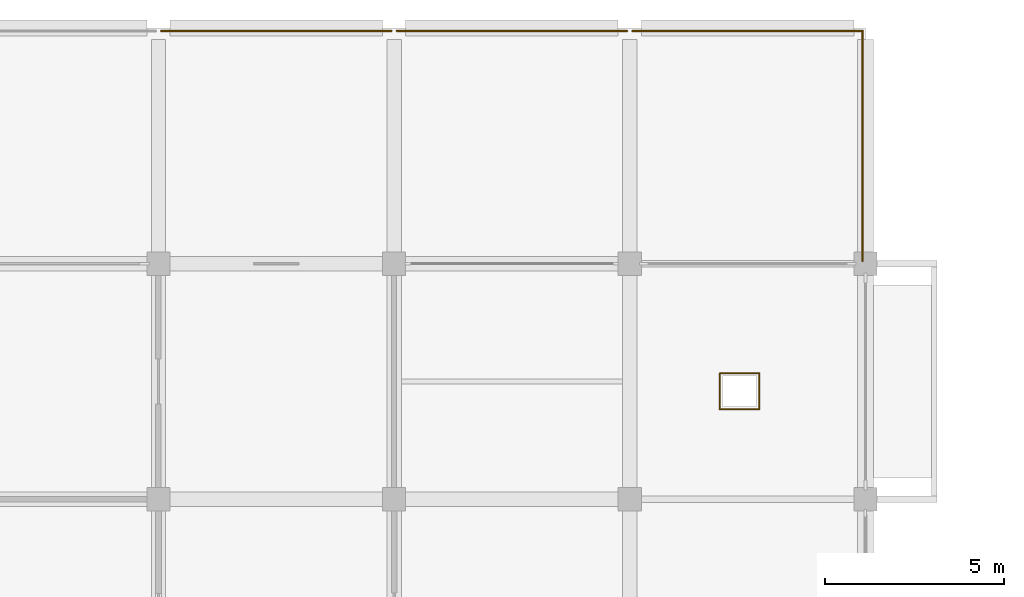
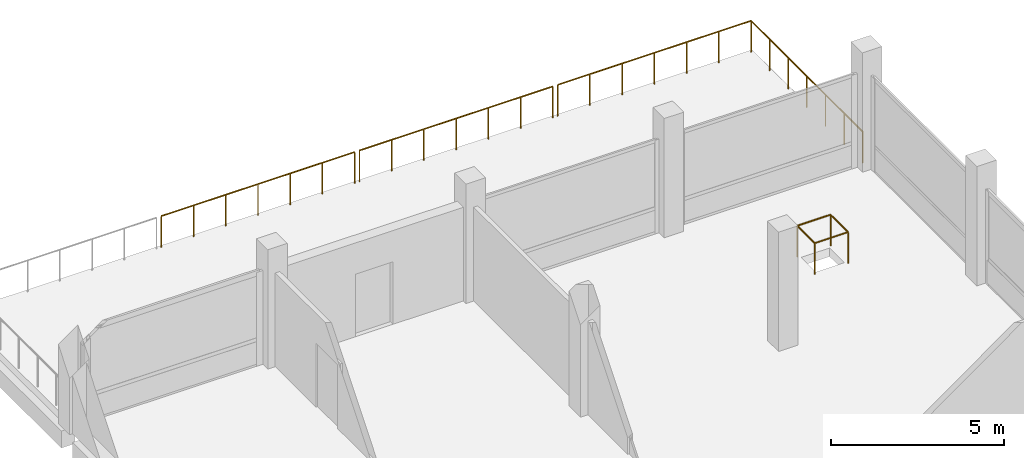
# One storey, part 11 of 11: 5 railings.
"""IFC4 building model written with IfcOpenShell, lengths in metres."""

from ifc_helpers import new_model, si_unit, direction, frame, origin, origin_2d, place, context, subcontext, project, spatial, circle, extrude, material, type_object, element, save


model = new_model("IFC4")

# Units and contexts
model_context = context("Model", 3, precision=1e-05, world=origin(), true_north=direction((0.0, 1.0)))
body_context = subcontext(model_context, "Body", "Model", "MODEL_VIEW")
ifc_project = project(units=[si_unit("LENGTHUNIT", "METRE"), si_unit("AREAUNIT", "SQUARE_METRE"), si_unit("VOLUMEUNIT", "CUBIC_METRE"), si_unit("PLANEANGLEUNIT", "RADIAN"), si_unit("MASSUNIT", "GRAM", prefix="KILO")], contexts=[model_context])

# Site, building, storey
site_placement = place(None, origin())
site = spatial("IfcSite", under=ifc_project, at=site_placement, CompositionType="ELEMENT")
building_placement = place(site_placement, origin())
building = spatial("IfcBuilding", under=site, at=building_placement, Name="Rusizi Kubbe Research Institute", CompositionType="ELEMENT")
storey_placement = place(building_placement, frame((0.0, 0.0, 56.39990234375)))
storey = spatial("IfcBuildingStorey", under=building, at=storey_placement, Name="L13", CompositionType="ELEMENT", Elevation=56.39990234375)

# Railings
ifc_material_1 = material(Name="Architectural Painted Steel Balustrade", Category="steel")
railing_type_1 = type_object("IfcRailingType", Name="GR-EXT", PredefinedType="GUARDRAIL", material=ifc_material_1)
railing_1_placement = place(storey_placement, frame((6.679931640625, 59.320068359375, 0.0)))
element("IfcRailing", 1, at=railing_1_placement, inside=storey, type_object=railing_type_1, Name="Roof Terrace Guard L13-03", PredefinedType="GUARDRAIL", context=body_context, shape_type="SweptSolid", body=[
    extrude(circle(Radius=0.02392578125, at=origin_2d()), frame((0.0, 0.0, 1.09619140625), z_axis=(1.0, 0.0, 0.0), x_axis=(0.0, 1.0, 0.0)), (0.0, 0.0, 1.0), 6.440185546875),
    extrude(circle(Radius=0.02099609375, at=origin_2d()), origin(), (0.0, 0.0, 1.0), 1.072021484375),
    extrude(circle(Radius=0.02099609375, at=origin_2d()), frame((1.0732421875, 0.0, 0.0)), (0.0, 0.0, 1.0), 1.072021484375),
    extrude(circle(Radius=0.02099609375, at=origin_2d()), frame((2.146728515625, 0.0, 0.0)), (0.0, 0.0, 1.0), 1.072021484375),
    extrude(circle(Radius=0.02099609375, at=origin_2d()), frame((3.22021484375, 0.0, 0.0)), (0.0, 0.0, 1.0), 1.072021484375),
    extrude(circle(Radius=0.02099609375, at=origin_2d()), frame((4.29345703125, 0.0, 0.0)), (0.0, 0.0, 1.0), 1.072021484375),
    extrude(circle(Radius=0.02099609375, at=origin_2d()), frame((5.36669921875, 0.0, 0.0)), (0.0, 0.0, 1.0), 1.072021484375),
    extrude(circle(Radius=0.02099609375, at=origin_2d()), frame((6.440185546875, 0.0, 0.0)), (0.0, 0.0, 1.0), 1.072021484375),
])
railing_2_placement = place(storey_placement, frame((13.280029296875, 59.320068359375, 0.0)))
element("IfcRailing", 2, at=railing_2_placement, inside=storey, type_object=railing_type_1, Name="Roof Terrace Guard L13-04", PredefinedType="GUARDRAIL", context=body_context, shape_type="SweptSolid", body=[
    extrude(circle(Radius=0.02392578125, at=origin_2d()), frame((0.0, 0.0, 1.09619140625), z_axis=(1.0, 0.0, 0.0), x_axis=(0.0, 1.0, 0.0)), (0.0, 0.0, 1.0), 6.43994140625),
    extrude(circle(Radius=0.02099609375, at=origin_2d()), origin(), (0.0, 0.0, 1.0), 1.072021484375),
    extrude(circle(Radius=0.02099609375, at=origin_2d()), frame((1.0732421875, 0.0, 0.0)), (0.0, 0.0, 1.0), 1.072021484375),
    extrude(circle(Radius=0.02099609375, at=origin_2d()), frame((2.146728515625, 0.0, 0.0)), (0.0, 0.0, 1.0), 1.072021484375),
    extrude(circle(Radius=0.02099609375, at=origin_2d()), frame((3.219970703125, 0.0, 0.0)), (0.0, 0.0, 1.0), 1.072021484375),
    extrude(circle(Radius=0.02099609375, at=origin_2d()), frame((4.293212890625, 0.0, 0.0)), (0.0, 0.0, 1.0), 1.072021484375),
    extrude(circle(Radius=0.02099609375, at=origin_2d()), frame((5.36669921875, 0.0, 0.0)), (0.0, 0.0, 1.0), 1.072021484375),
    extrude(circle(Radius=0.02099609375, at=origin_2d()), frame((6.43994140625, 0.0, 0.0)), (0.0, 0.0, 1.0), 1.072021484375),
])
railing_3_placement = place(storey_placement, frame((19.8798828125, 59.320068359375, 0.0)))
element("IfcRailing", 3, at=railing_3_placement, inside=storey, type_object=railing_type_1, Name="Roof Terrace Guard L13-05", PredefinedType="GUARDRAIL", context=body_context, shape_type="SweptSolid", body=[
    extrude(circle(Radius=0.02392578125, at=origin_2d()), frame((0.0, 0.0, 1.09619140625), z_axis=(1.0, 0.0, 0.0), x_axis=(0.0, 1.0, 0.0)), (0.0, 0.0, 1.0), 6.440185546875),
    extrude(circle(Radius=0.02099609375, at=origin_2d()), origin(), (0.0, 0.0, 1.0), 1.072021484375),
    extrude(circle(Radius=0.02099609375, at=origin_2d()), frame((1.0732421875, 0.0, 0.0)), (0.0, 0.0, 1.0), 1.072021484375),
    extrude(circle(Radius=0.02099609375, at=origin_2d()), frame((2.146728515625, 0.0, 0.0)), (0.0, 0.0, 1.0), 1.072021484375),
    extrude(circle(Radius=0.02099609375, at=origin_2d()), frame((3.22021484375, 0.0, 0.0)), (0.0, 0.0, 1.0), 1.072021484375),
    extrude(circle(Radius=0.02099609375, at=origin_2d()), frame((4.29345703125, 0.0, 0.0)), (0.0, 0.0, 1.0), 1.072021484375),
    extrude(circle(Radius=0.02099609375, at=origin_2d()), frame((5.36669921875, 0.0, 0.0)), (0.0, 0.0, 1.0), 1.072021484375),
    extrude(circle(Radius=0.02099609375, at=origin_2d()), frame((6.440185546875, 0.0, 0.0)), (0.0, 0.0, 1.0), 1.072021484375),
])
railing_4_placement = place(storey_placement, frame((26.320068359375, 52.8798828125, 0.0)))
element("IfcRailing", 4, at=railing_4_placement, inside=storey, type_object=railing_type_1, Name="Roof Terrace Guard L13-06", PredefinedType="GUARDRAIL", context=body_context, shape_type="SweptSolid", body=[
    extrude(circle(Radius=0.02392578125, at=origin_2d()), frame((0.0, 0.0, 1.09619140625), z_axis=(0.0, 1.0, 0.0), x_axis=(-1.0, 0.0, 0.0)), (0.0, 0.0, 1.0), 6.440185546875),
    extrude(circle(Radius=0.02099609375, at=origin_2d()), origin(), (0.0, 0.0, 1.0), 1.072021484375),
    extrude(circle(Radius=0.02099609375, at=origin_2d()), frame((0.0, 1.0732421875, 0.0)), (0.0, 0.0, 1.0), 1.072021484375),
    extrude(circle(Radius=0.02099609375, at=origin_2d()), frame((0.0, 2.146728515625, 0.0)), (0.0, 0.0, 1.0), 1.072021484375),
    extrude(circle(Radius=0.02099609375, at=origin_2d()), frame((0.0, 3.22021484375, 0.0)), (0.0, 0.0, 1.0), 1.072021484375),
    extrude(circle(Radius=0.02099609375, at=origin_2d()), frame((0.0, 4.29345703125, 0.0)), (0.0, 0.0, 1.0), 1.072021484375),
    extrude(circle(Radius=0.02099609375, at=origin_2d()), frame((0.0, 5.36669921875, 0.0)), (0.0, 0.0, 1.0), 1.072021484375),
    extrude(circle(Radius=0.02099609375, at=origin_2d()), frame((0.0, 6.440185546875, 0.0)), (0.0, 0.0, 1.0), 1.072021484375),
])
ifc_material_2 = material(Name="Painted Steel Stair Guard", Category="steel")
railing_type_2 = type_object("IfcRailingType", Name="GR-STAIR", PredefinedType="GUARDRAIL", material=ifc_material_2)
railing_5_placement = place(storey_placement, frame((22.320068359375, 48.719970703125, 0.0)))
element("IfcRailing", 5, at=railing_5_placement, inside=storey, type_object=railing_type_2, Name="Service Riser Guard L13 NORTHA", PredefinedType="GUARDRAIL", context=body_context, shape_type="SweptSolid", body=[
    extrude(circle(Radius=0.02392578125, at=origin_2d()), frame((0.0, 0.0, 1.09619140625), z_axis=(1.0, 0.0, 0.0), x_axis=(0.0, 1.0, 0.0)), (0.0, 0.0, 1.0), 1.10986328125),
    extrude(circle(Radius=0.02392578125, at=origin_2d()), frame((1.10986328125, 0.0, 1.09619140625), z_axis=(0.0, 1.0, 0.0), x_axis=(-1.0, 0.0, 0.0)), (0.0, 0.0, 1.0), 1.010009765625),
    extrude(circle(Radius=0.02392578125, at=origin_2d()), frame((1.10986328125, 1.010009765625, 1.09619140625), z_axis=(-1.0, 0.0, 0.0), x_axis=(0.0, -1.0, 0.0)), (0.0, 0.0, 1.0), 1.10986328125),
    extrude(circle(Radius=0.02392578125, at=origin_2d()), frame((0.0, 1.010009765625, 1.09619140625), z_axis=(0.0, -1.0, 0.0), x_axis=(1.0, 0.0, 0.0)), (0.0, 0.0, 1.0), 1.010009765625),
    extrude(circle(Radius=0.02099609375, at=origin_2d()), origin(), (0.0, 0.0, 1.0), 1.072021484375),
    extrude(circle(Radius=0.02099609375, at=origin_2d()), frame((1.10986328125, 0.0, 0.0)), (0.0, 0.0, 1.0), 1.072021484375),
    extrude(circle(Radius=0.02099609375, at=origin_2d()), frame((1.10986328125, 1.010009765625, 0.0)), (0.0, 0.0, 1.0), 1.072021484375),
    extrude(circle(Radius=0.02099609375, at=origin_2d()), frame((0.0, 1.010009765625, 0.0)), (0.0, 0.0, 1.0), 1.072021484375),
])

save(model, "model.ifc")
